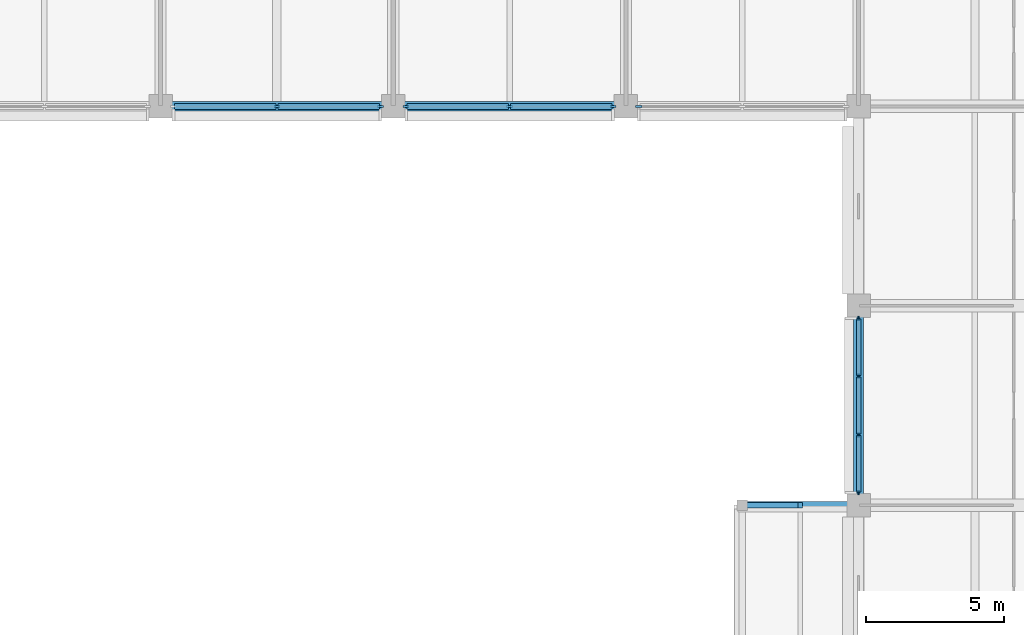
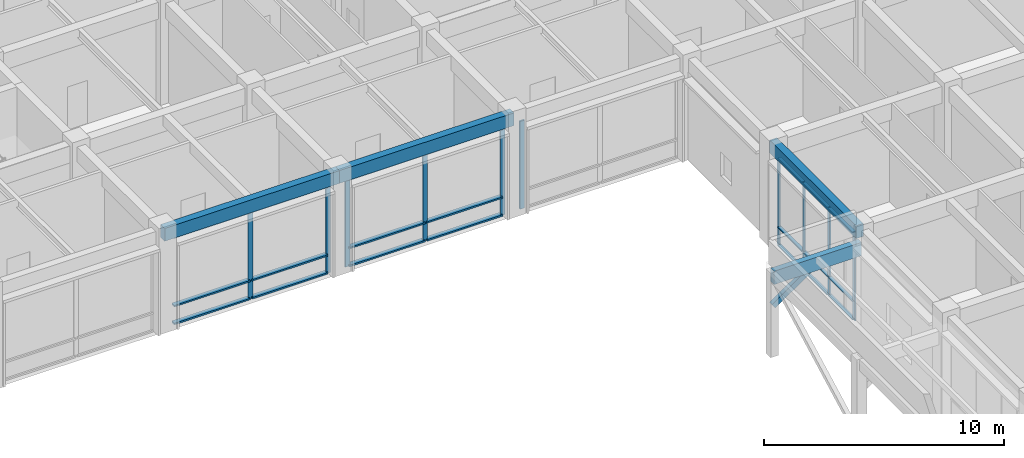
# One storey, part 25 of 68: 32 members, 4 beams, 4 elements without a shape of their own.
"""IFC4 building model written with IfcOpenShell, lengths in metres."""

from ifc_helpers import new_model, si_unit, direction, frame, origin, origin_2d, place, context, subcontext, project, spatial, rectangle, extrude, material, layer, layer_set, material_profile, profile_set, type_object, element, aggregate, save


model = new_model("IFC4")

# Units and contexts
model_context = context("Model", 3, precision=1e-05, world=origin(), true_north=direction((0.0, 1.0)))
body_context = subcontext(model_context, "Body", "Model", "MODEL_VIEW")
ifc_project = project(units=[si_unit("LENGTHUNIT", "METRE"), si_unit("AREAUNIT", "SQUARE_METRE"), si_unit("VOLUMEUNIT", "CUBIC_METRE"), si_unit("PLANEANGLEUNIT", "RADIAN"), si_unit("MASSUNIT", "GRAM", prefix="KILO")], contexts=[model_context])

# Site, building, storey
site_placement = place(None, origin())
site = spatial("IfcSite", under=ifc_project, at=site_placement, CompositionType="ELEMENT")
building_placement = place(site_placement, origin())
building = spatial("IfcBuilding", under=site, at=building_placement, Name="Chengyuan Square Courthouse", CompositionType="ELEMENT")
storey_placement = place(building_placement, frame((0.0, 0.0, 5.39990234375)))
storey = spatial("IfcBuildingStorey", under=building, at=storey_placement, Name="L02", CompositionType="ELEMENT", Elevation=5.39990234375)

# Beams
ifc_material_1 = material(Name="Concrete C40", Category="concrete")
ifc_material_profile_1 = material_profile(ifc_material_1, rectangle(XDim=0.35009765625, YDim=0.64990234375, at=origin_2d()), Name="RC-BM-350x650")
ifc_profile_set_1 = profile_set([ifc_material_profile_1], Name="Concrete C40")
beam_type_1 = type_object("IfcBeamType", Name="BM-03", PredefinedType="SPANDREL", material=ifc_profile_set_1)
beam_1_placement = place(storey_placement, frame((126.0, 79.199951171875, 4.795166015625), z_axis=(1.0, 0.0, 0.0), x_axis=(0.0, 1.0, 0.0)))
element("IfcBeam", 1, at=beam_1_placement, inside=storey, type_object=beam_type_1, Name="Girder BM-L02-2134", PredefinedType="SPANDREL", context=body_context, shape_type="SweptSolid", body=[
    extrude(rectangle(XDim=0.35009765625, YDim=0.64990234375, at=origin_2d()), origin(), (0.0, 0.0, 1.0), 8.39990234375),
])
beam_2_placement = place(storey_placement, frame((134.39990234375, 79.199951171875, 4.795166015625), z_axis=(1.0, 0.0, 0.0), x_axis=(0.0, 1.0, 0.0)))
element("IfcBeam", 2, at=beam_2_placement, inside=storey, type_object=beam_type_1, Name="Girder BM-L02-2135", PredefinedType="SPANDREL", context=body_context, shape_type="SweptSolid", body=[
    extrude(rectangle(XDim=0.35009765625, YDim=0.64990234375, at=origin_2d()), origin(), (0.0, 0.0, 1.0), 8.400146484375),
])
beam_3_placement = place(storey_placement, frame((151.199951171875, 64.800048828125, 4.795166015625), z_axis=(0.0, 1.0, 0.0), x_axis=(-1.0, 0.0, 0.0)))
element("IfcBeam", 3, at=beam_3_placement, inside=storey, type_object=beam_type_1, Name="Girder BM-L02-2354", PredefinedType="SPANDREL", context=body_context, shape_type="SweptSolid", body=[
    extrude(rectangle(XDim=0.35009765625, YDim=0.64990234375, at=origin_2d()), origin(), (0.0, 0.0, 1.0), 7.199951171875),
])

# Curtain wall, members
ifc_material_2 = material(Name="Unitised Aluminium and Triple Low-E Glass", Category="aluminium")
ifc_layer_1 = layer(ifc_material_2, 0.159912109375)
ifc_layer_set_1 = layer_set([ifc_layer_1], Name="Unitised Aluminium and Triple Low-E Glass")
curtain_wall_type_1 = type_object("IfcCurtainWallType", Name="CW-17", PredefinedType="USERDEFINED", material=ifc_layer_set_1)
curtain_wall_1_placement = place(storey_placement, origin())
curtain_wall_1 = element("IfcCurtainWall", 4, at=curtain_wall_1_placement, inside=storey, type_object=curtain_wall_type_1, Name="Unitised Curtain Wall CW-L02-081", ObjectType="UNITISED CURTAIN WALL", PredefinedType="USERDEFINED")
ifc_material_3 = material(Name="Aluminium 6063-T6 Frame", Category="aluminium")
ifc_material_profile_2 = material_profile(ifc_material_3, rectangle(XDim=0.06005859375, YDim=0.159912109375, at=origin_2d()), Name="CW-MUL-60x160")
ifc_profile_set_2 = profile_set([ifc_material_profile_2], Name="Aluminium 6063-T6 Frame")
member_type_1 = type_object("IfcMemberType", Name="CWM-01", PredefinedType="MULLION", material=ifc_profile_set_2)
member_1_placement = place(storey_placement, frame((151.199951171875, 65.2548828125, 0.0), z_axis=(0.0, 0.0, 1.0), x_axis=(-1.0, 0.0, 0.0)))
member_1 = element("IfcMember", 5, at=member_1_placement, type_object=member_type_1, Name="CW-17 mullion 1", PredefinedType="MULLION", context=body_context, shape_type="SweptSolid", body=[
    extrude(rectangle(XDim=0.06005859375, YDim=0.159912109375, at=origin_2d()), origin(), (0.0, 0.0, 1.0), 4.47021484375),
])
member_2_placement = place(storey_placement, frame((151.199951171875, 67.341552734375, 0.0), z_axis=(0.0, 0.0, 1.0), x_axis=(-1.0, 0.0, 0.0)))
member_2 = element("IfcMember", 6, at=member_2_placement, type_object=member_type_1, Name="CW-17 mullion 2", PredefinedType="MULLION", context=body_context, shape_type="SweptSolid", body=[
    extrude(rectangle(XDim=0.06005859375, YDim=0.159912109375, at=origin_2d()), origin(), (0.0, 0.0, 1.0), 4.47021484375),
])
member_3_placement = place(storey_placement, frame((151.199951171875, 69.458251953125, 0.0), z_axis=(0.0, 0.0, 1.0), x_axis=(-1.0, 0.0, 0.0)))
member_3 = element("IfcMember", 7, at=member_3_placement, type_object=member_type_1, Name="CW-17 mullion 3", PredefinedType="MULLION", context=body_context, shape_type="SweptSolid", body=[
    extrude(rectangle(XDim=0.06005859375, YDim=0.159912109375, at=origin_2d()), origin(), (0.0, 0.0, 1.0), 4.47021484375),
])
member_4_placement = place(storey_placement, frame((151.199951171875, 71.544921875, 0.0), z_axis=(0.0, 0.0, 1.0), x_axis=(-1.0, 0.0, 0.0)))
member_4 = element("IfcMember", 8, at=member_4_placement, type_object=member_type_1, Name="CW-17 mullion 4", PredefinedType="MULLION", context=body_context, shape_type="SweptSolid", body=[
    extrude(rectangle(XDim=0.06005859375, YDim=0.159912109375, at=origin_2d()), origin(), (0.0, 0.0, 1.0), 4.47021484375),
])

ifc_layer_2 = layer(ifc_material_2, 0.219970703125)
ifc_layer_set_2 = layer_set([ifc_layer_2], Name="Unitised Aluminium and Triple Low-E Glass")
curtain_wall_type_2 = type_object("IfcCurtainWallType", Name="CW-04", PredefinedType="USERDEFINED", material=ifc_layer_set_2)
curtain_wall_2_placement = place(storey_placement, origin())
curtain_wall_2 = element("IfcCurtainWall", 9, at=curtain_wall_2_placement, inside=storey, type_object=curtain_wall_type_2, Name="Unitised Curtain Wall CW-L02-072", ObjectType="UNITISED CURTAIN WALL", PredefinedType="USERDEFINED")
ifc_material_profile_3 = material_profile(ifc_material_3, rectangle(XDim=0.080078125, YDim=0.219970703125, at=origin_2d()), Name="CW-MUL-80x220")
ifc_profile_set_3 = profile_set([ifc_material_profile_3], Name="Aluminium 6063-T6 Frame")
member_type_2 = type_object("IfcMemberType", Name="CWM-04", PredefinedType="MULLION", material=ifc_profile_set_3)
member_5_placement = place(storey_placement, frame((130.199951171875, 79.199951171875, 0.0), z_axis=(0.0, 0.0, 1.0), x_axis=(0.0, 1.0, 0.0)))
member_5 = element("IfcMember", 10, at=member_5_placement, type_object=member_type_2, Name="CW-04 mullion 2", PredefinedType="MULLION", context=body_context, shape_type="SweptSolid", body=[
    extrude(rectangle(XDim=0.080078125, YDim=0.219970703125, at=origin_2d()), origin(), (0.0, 0.0, 1.0), 4.47021484375),
])
member_6_placement = place(storey_placement, frame((133.93505859375, 79.199951171875, 0.0), z_axis=(0.0, 0.0, 1.0), x_axis=(0.0, 1.0, 0.0)))
member_6 = element("IfcMember", 11, at=member_6_placement, type_object=member_type_2, Name="CW-04 mullion 3", PredefinedType="MULLION", context=body_context, shape_type="SweptSolid", body=[
    extrude(rectangle(XDim=0.080078125, YDim=0.219970703125, at=origin_2d()), origin(), (0.0, 0.0, 1.0), 4.47021484375),
])

curtain_wall_3_placement = place(storey_placement, origin())
curtain_wall_3 = element("IfcCurtainWall", 12, at=curtain_wall_3_placement, inside=storey, type_object=curtain_wall_type_2, Name="Unitised Curtain Wall CW-L02-074", ObjectType="UNITISED CURTAIN WALL", PredefinedType="USERDEFINED")
member_7_placement = place(storey_placement, frame((134.864990234375, 79.199951171875, 0.0), z_axis=(0.0, 0.0, 1.0), x_axis=(0.0, 1.0, 0.0)))
member_7 = element("IfcMember", 13, at=member_7_placement, type_object=member_type_2, Name="CW-04 mullion 1", PredefinedType="MULLION", context=body_context, shape_type="SweptSolid", body=[
    extrude(rectangle(XDim=0.080078125, YDim=0.219970703125, at=origin_2d()), origin(), (0.0, 0.0, 1.0), 4.47021484375),
])
member_8_placement = place(storey_placement, frame((138.60009765625, 79.199951171875, 0.0), z_axis=(0.0, 0.0, 1.0), x_axis=(0.0, 1.0, 0.0)))
member_8 = element("IfcMember", 14, at=member_8_placement, type_object=member_type_2, Name="CW-04 mullion 2", PredefinedType="MULLION", context=body_context, shape_type="SweptSolid", body=[
    extrude(rectangle(XDim=0.080078125, YDim=0.219970703125, at=origin_2d()), origin(), (0.0, 0.0, 1.0), 4.47021484375),
])
member_9_placement = place(storey_placement, frame((142.3349609375, 79.199951171875, 0.0), z_axis=(0.0, 0.0, 1.0), x_axis=(0.0, 1.0, 0.0)))
member_9 = element("IfcMember", 15, at=member_9_placement, type_object=member_type_2, Name="CW-04 mullion 3", PredefinedType="MULLION", context=body_context, shape_type="SweptSolid", body=[
    extrude(rectangle(XDim=0.080078125, YDim=0.219970703125, at=origin_2d()), origin(), (0.0, 0.0, 1.0), 4.47021484375),
])

# Curtain wall, member
curtain_wall_4_placement = place(storey_placement, origin())
curtain_wall_4 = element("IfcCurtainWall", 16, at=curtain_wall_4_placement, inside=storey, type_object=curtain_wall_type_2, Name="Unitised Curtain Wall CW-L02-075", ObjectType="UNITISED CURTAIN WALL", PredefinedType="USERDEFINED")
member_10_placement = place(storey_placement, frame((143.264892578125, 79.199951171875, 0.0), z_axis=(0.0, 0.0, 1.0), x_axis=(0.0, 1.0, 0.0)))
member_10 = element("IfcMember", 17, at=member_10_placement, type_object=member_type_2, Name="CW-04 mullion 1", PredefinedType="MULLION", context=body_context, shape_type="SweptSolid", body=[
    extrude(rectangle(XDim=0.080078125, YDim=0.219970703125, at=origin_2d()), origin(), (0.0, 0.0, 1.0), 4.47021484375),
])
aggregate(curtain_wall_4, [member_10])

# Member
ifc_material_profile_4 = material_profile(ifc_material_3, rectangle(XDim=0.159912109375, YDim=0.06005859375, at=origin_2d()), Name="CW-TRN-60x120")
ifc_profile_set_4 = profile_set([ifc_material_profile_4], Name="Aluminium 6063-T6 Frame")
member_type_3 = type_object("IfcMemberType", Name="CWT-01", PredefinedType="USERDEFINED", material=ifc_profile_set_4)
member_11_placement = place(storey_placement, frame((151.199951171875, 65.284912109375, 0.030029296875), z_axis=(0.0, 1.0, 0.0), x_axis=(-1.0, 0.0, 0.0)))
member_11 = element("IfcMember", 18, at=member_11_placement, type_object=member_type_3, Name="CW-17 transom 1.1", ObjectType="TRANSOM", PredefinedType="USERDEFINED", context=body_context, shape_type="SweptSolid", body=[
    extrude(rectangle(XDim=0.159912109375, YDim=0.06005859375, at=origin_2d()), origin(), (0.0, 0.0, 1.0), 2.02685546875),
])

member_12_placement = place(storey_placement, frame((151.199951171875, 65.284912109375, 0.9501953125), z_axis=(0.0, 1.0, 0.0), x_axis=(-1.0, 0.0, 0.0)))
member_12 = element("IfcMember", 19, at=member_12_placement, type_object=member_type_3, Name="CW-17 transom 1.2", ObjectType="TRANSOM", PredefinedType="USERDEFINED", context=body_context, shape_type="SweptSolid", body=[
    extrude(rectangle(XDim=0.159912109375, YDim=0.06005859375, at=origin_2d()), origin(), (0.0, 0.0, 1.0), 2.02685546875),
])

member_13_placement = place(storey_placement, frame((151.199951171875, 65.284912109375, 4.440185546875), z_axis=(0.0, 1.0, 0.0), x_axis=(-1.0, 0.0, 0.0)))
member_13 = element("IfcMember", 20, at=member_13_placement, type_object=member_type_3, Name="CW-17 transom 1.3", ObjectType="TRANSOM", PredefinedType="USERDEFINED", context=body_context, shape_type="SweptSolid", body=[
    extrude(rectangle(XDim=0.159912109375, YDim=0.06005859375, at=origin_2d()), origin(), (0.0, 0.0, 1.0), 2.02685546875),
])

member_14_placement = place(storey_placement, frame((151.199951171875, 67.37158203125, 0.030029296875), z_axis=(0.0, 1.0, 0.0), x_axis=(-1.0, 0.0, 0.0)))
member_14 = element("IfcMember", 21, at=member_14_placement, type_object=member_type_3, Name="CW-17 transom 2.1", ObjectType="TRANSOM", PredefinedType="USERDEFINED", context=body_context, shape_type="SweptSolid", body=[
    extrude(rectangle(XDim=0.159912109375, YDim=0.06005859375, at=origin_2d()), origin(), (0.0, 0.0, 1.0), 2.056640625),
])

member_15_placement = place(storey_placement, frame((151.199951171875, 67.37158203125, 0.9501953125), z_axis=(0.0, 1.0, 0.0), x_axis=(-1.0, 0.0, 0.0)))
member_15 = element("IfcMember", 22, at=member_15_placement, type_object=member_type_3, Name="CW-17 transom 2.2", ObjectType="TRANSOM", PredefinedType="USERDEFINED", context=body_context, shape_type="SweptSolid", body=[
    extrude(rectangle(XDim=0.159912109375, YDim=0.06005859375, at=origin_2d()), origin(), (0.0, 0.0, 1.0), 2.056640625),
])

member_16_placement = place(storey_placement, frame((151.199951171875, 67.37158203125, 4.440185546875), z_axis=(0.0, 1.0, 0.0), x_axis=(-1.0, 0.0, 0.0)))
member_16 = element("IfcMember", 23, at=member_16_placement, type_object=member_type_3, Name="CW-17 transom 2.3", ObjectType="TRANSOM", PredefinedType="USERDEFINED", context=body_context, shape_type="SweptSolid", body=[
    extrude(rectangle(XDim=0.159912109375, YDim=0.06005859375, at=origin_2d()), origin(), (0.0, 0.0, 1.0), 2.056640625),
])

member_17_placement = place(storey_placement, frame((151.199951171875, 69.48828125, 0.030029296875), z_axis=(0.0, 1.0, 0.0), x_axis=(-1.0, 0.0, 0.0)))
member_17 = element("IfcMember", 24, at=member_17_placement, type_object=member_type_3, Name="CW-17 transom 3.1", ObjectType="TRANSOM", PredefinedType="USERDEFINED", context=body_context, shape_type="SweptSolid", body=[
    extrude(rectangle(XDim=0.159912109375, YDim=0.06005859375, at=origin_2d()), origin(), (0.0, 0.0, 1.0), 2.026611328125),
])

member_18_placement = place(storey_placement, frame((151.199951171875, 69.48828125, 0.9501953125), z_axis=(0.0, 1.0, 0.0), x_axis=(-1.0, 0.0, 0.0)))
member_18 = element("IfcMember", 25, at=member_18_placement, type_object=member_type_3, Name="CW-17 transom 3.2", ObjectType="TRANSOM", PredefinedType="USERDEFINED", context=body_context, shape_type="SweptSolid", body=[
    extrude(rectangle(XDim=0.159912109375, YDim=0.06005859375, at=origin_2d()), origin(), (0.0, 0.0, 1.0), 2.026611328125),
])

member_19_placement = place(storey_placement, frame((151.199951171875, 69.48828125, 4.440185546875), z_axis=(0.0, 1.0, 0.0), x_axis=(-1.0, 0.0, 0.0)))
member_19 = element("IfcMember", 26, at=member_19_placement, type_object=member_type_3, Name="CW-17 transom 3.3", ObjectType="TRANSOM", PredefinedType="USERDEFINED", context=body_context, shape_type="SweptSolid", body=[
    extrude(rectangle(XDim=0.159912109375, YDim=0.06005859375, at=origin_2d()), origin(), (0.0, 0.0, 1.0), 2.026611328125),
])

aggregate(curtain_wall_1, [member_1, member_2, member_3, member_4, member_11, member_12, member_13, member_14, member_15, member_16, member_17, member_18, member_19])

ifc_material_profile_5 = material_profile(ifc_material_3, rectangle(XDim=0.219970703125, YDim=0.080078125, at=origin_2d()), Name="CW-TRN-80x180")
ifc_profile_set_5 = profile_set([ifc_material_profile_5], Name="Aluminium 6063-T6 Frame")
member_type_4 = type_object("IfcMemberType", Name="CWT-04", PredefinedType="USERDEFINED", material=ifc_profile_set_5)
member_20_placement = place(storey_placement, frame((126.5048828125, 79.199951171875, 0.0400390625), z_axis=(1.0, 0.0, 0.0), x_axis=(0.0, 1.0, 0.0)))
member_20 = element("IfcMember", 27, at=member_20_placement, type_object=member_type_4, Name="CW-04 transom 1.1", ObjectType="TRANSOM", PredefinedType="USERDEFINED", context=body_context, shape_type="SweptSolid", body=[
    extrude(rectangle(XDim=0.219970703125, YDim=0.080078125, at=origin_2d()), origin(), (0.0, 0.0, 1.0), 3.655029296875),
])

member_21_placement = place(storey_placement, frame((126.5048828125, 79.199951171875, 0.9501953125), z_axis=(1.0, 0.0, 0.0), x_axis=(0.0, 1.0, 0.0)))
member_21 = element("IfcMember", 28, at=member_21_placement, type_object=member_type_4, Name="CW-04 transom 1.2", ObjectType="TRANSOM", PredefinedType="USERDEFINED", context=body_context, shape_type="SweptSolid", body=[
    extrude(rectangle(XDim=0.219970703125, YDim=0.080078125, at=origin_2d()), origin(), (0.0, 0.0, 1.0), 3.655029296875),
])

member_22_placement = place(storey_placement, frame((126.5048828125, 79.199951171875, 4.43017578125), z_axis=(1.0, 0.0, 0.0), x_axis=(0.0, 1.0, 0.0)))
member_22 = element("IfcMember", 29, at=member_22_placement, type_object=member_type_4, Name="CW-04 transom 1.3", ObjectType="TRANSOM", PredefinedType="USERDEFINED", context=body_context, shape_type="SweptSolid", body=[
    extrude(rectangle(XDim=0.219970703125, YDim=0.080078125, at=origin_2d()), origin(), (0.0, 0.0, 1.0), 3.655029296875),
])

member_23_placement = place(storey_placement, frame((130.239990234375, 79.199951171875, 0.0400390625), z_axis=(1.0, 0.0, 0.0), x_axis=(0.0, 1.0, 0.0)))
member_23 = element("IfcMember", 30, at=member_23_placement, type_object=member_type_4, Name="CW-04 transom 2.1", ObjectType="TRANSOM", PredefinedType="USERDEFINED", context=body_context, shape_type="SweptSolid", body=[
    extrude(rectangle(XDim=0.219970703125, YDim=0.080078125, at=origin_2d()), origin(), (0.0, 0.0, 1.0), 3.655029296875),
])

member_24_placement = place(storey_placement, frame((130.239990234375, 79.199951171875, 0.9501953125), z_axis=(1.0, 0.0, 0.0), x_axis=(0.0, 1.0, 0.0)))
member_24 = element("IfcMember", 31, at=member_24_placement, type_object=member_type_4, Name="CW-04 transom 2.2", ObjectType="TRANSOM", PredefinedType="USERDEFINED", context=body_context, shape_type="SweptSolid", body=[
    extrude(rectangle(XDim=0.219970703125, YDim=0.080078125, at=origin_2d()), origin(), (0.0, 0.0, 1.0), 3.655029296875),
])

member_25_placement = place(storey_placement, frame((130.239990234375, 79.199951171875, 4.43017578125), z_axis=(1.0, 0.0, 0.0), x_axis=(0.0, 1.0, 0.0)))
member_25 = element("IfcMember", 32, at=member_25_placement, type_object=member_type_4, Name="CW-04 transom 2.3", ObjectType="TRANSOM", PredefinedType="USERDEFINED", context=body_context, shape_type="SweptSolid", body=[
    extrude(rectangle(XDim=0.219970703125, YDim=0.080078125, at=origin_2d()), origin(), (0.0, 0.0, 1.0), 3.655029296875),
])

aggregate(curtain_wall_2, [member_5, member_6, member_20, member_21, member_22, member_23, member_24, member_25])

member_26_placement = place(storey_placement, frame((134.905029296875, 79.199951171875, 0.0400390625), z_axis=(1.0, 0.0, 0.0), x_axis=(0.0, 1.0, 0.0)))
member_26 = element("IfcMember", 33, at=member_26_placement, type_object=member_type_4, Name="CW-04 transom 1.1", ObjectType="TRANSOM", PredefinedType="USERDEFINED", context=body_context, shape_type="SweptSolid", body=[
    extrude(rectangle(XDim=0.219970703125, YDim=0.080078125, at=origin_2d()), origin(), (0.0, 0.0, 1.0), 3.655029296875),
])

member_27_placement = place(storey_placement, frame((134.905029296875, 79.199951171875, 0.9501953125), z_axis=(1.0, 0.0, 0.0), x_axis=(0.0, 1.0, 0.0)))
member_27 = element("IfcMember", 34, at=member_27_placement, type_object=member_type_4, Name="CW-04 transom 1.2", ObjectType="TRANSOM", PredefinedType="USERDEFINED", context=body_context, shape_type="SweptSolid", body=[
    extrude(rectangle(XDim=0.219970703125, YDim=0.080078125, at=origin_2d()), origin(), (0.0, 0.0, 1.0), 3.655029296875),
])

member_28_placement = place(storey_placement, frame((134.905029296875, 79.199951171875, 4.43017578125), z_axis=(1.0, 0.0, 0.0), x_axis=(0.0, 1.0, 0.0)))
member_28 = element("IfcMember", 35, at=member_28_placement, type_object=member_type_4, Name="CW-04 transom 1.3", ObjectType="TRANSOM", PredefinedType="USERDEFINED", context=body_context, shape_type="SweptSolid", body=[
    extrude(rectangle(XDim=0.219970703125, YDim=0.080078125, at=origin_2d()), origin(), (0.0, 0.0, 1.0), 3.655029296875),
])

member_29_placement = place(storey_placement, frame((138.639892578125, 79.199951171875, 0.0400390625), z_axis=(1.0, 0.0, 0.0), x_axis=(0.0, 1.0, 0.0)))
member_29 = element("IfcMember", 36, at=member_29_placement, type_object=member_type_4, Name="CW-04 transom 2.1", ObjectType="TRANSOM", PredefinedType="USERDEFINED", context=body_context, shape_type="SweptSolid", body=[
    extrude(rectangle(XDim=0.219970703125, YDim=0.080078125, at=origin_2d()), origin(), (0.0, 0.0, 1.0), 3.655029296875),
])

member_30_placement = place(storey_placement, frame((138.639892578125, 79.199951171875, 0.9501953125), z_axis=(1.0, 0.0, 0.0), x_axis=(0.0, 1.0, 0.0)))
member_30 = element("IfcMember", 37, at=member_30_placement, type_object=member_type_4, Name="CW-04 transom 2.2", ObjectType="TRANSOM", PredefinedType="USERDEFINED", context=body_context, shape_type="SweptSolid", body=[
    extrude(rectangle(XDim=0.219970703125, YDim=0.080078125, at=origin_2d()), origin(), (0.0, 0.0, 1.0), 3.655029296875),
])

member_31_placement = place(storey_placement, frame((138.639892578125, 79.199951171875, 4.43017578125), z_axis=(1.0, 0.0, 0.0), x_axis=(0.0, 1.0, 0.0)))
member_31 = element("IfcMember", 38, at=member_31_placement, type_object=member_type_4, Name="CW-04 transom 2.3", ObjectType="TRANSOM", PredefinedType="USERDEFINED", context=body_context, shape_type="SweptSolid", body=[
    extrude(rectangle(XDim=0.219970703125, YDim=0.080078125, at=origin_2d()), origin(), (0.0, 0.0, 1.0), 3.655029296875),
])

aggregate(curtain_wall_3, [member_7, member_8, member_9, member_26, member_27, member_28, member_29, member_30, member_31])

# Beam
ifc_material_4 = material(Name="Glulam TCt28", Category="wood")
ifc_material_profile_6 = material_profile(ifc_material_4, rectangle(XDim=0.280029296875, YDim=0.679931640625, at=origin_2d()), Name="GL-BM-280x680")
ifc_profile_set_6 = profile_set([ifc_material_profile_6], Name="Glulam TCt28")
beam_type_2 = type_object("IfcBeamType", Name="GLB-01", PredefinedType="BEAM", material=ifc_profile_set_6)
beam_4_placement = place(storey_placement, frame((151.199951171875, 64.800048828125, 3.960205078125), z_axis=(-1.0, 0.0, 0.0), x_axis=(0.0, -1.0, 0.0)))
element("IfcBeam", 39, at=beam_4_placement, inside=storey, type_object=beam_type_2, Name="Glulam Colonnade Portal Beam GLB-L02-045", PredefinedType="BEAM", context=body_context, shape_type="SweptSolid", body=[
    extrude(rectangle(XDim=0.280029296875, YDim=0.679931640625, at=origin_2d()), origin(), (0.0, 0.0, 1.0), 4.199951171875),
])

# Member
ifc_material_profile_7 = material_profile(ifc_material_4, rectangle(XDim=0.199951171875, YDim=0.280029296875, at=origin_2d()), Name="GL-STR-200x280")
ifc_profile_set_7 = profile_set([ifc_material_profile_7], Name="Glulam TCt28")
member_type_5 = type_object("IfcMemberType", Name="STR-01", PredefinedType="STRUT", material=ifc_profile_set_7)
member_32_placement = place(storey_placement, frame((147.0, 64.800048828125, 2.5), z_axis=(0.821039413556, 0.0, 0.570871510402), x_axis=(0.0, 1.0, 0.0)))
element("IfcMember", 40, at=member_32_placement, inside=storey, type_object=member_type_5, Name="Glulam Colonnade Knee Strut STR-L02-045", PredefinedType="STRUT", context=body_context, shape_type="SweptSolid", body=[
    extrude(rectangle(XDim=0.199951171875, YDim=0.280029296875, at=origin_2d()), origin(), (0.0, 0.0, 1.0), 2.557861328125),
])

save(model, "model.ifc")
